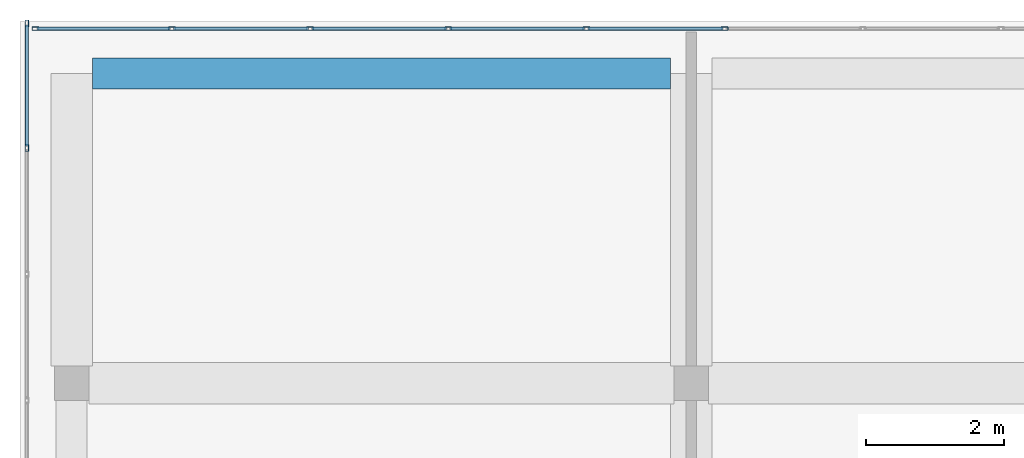
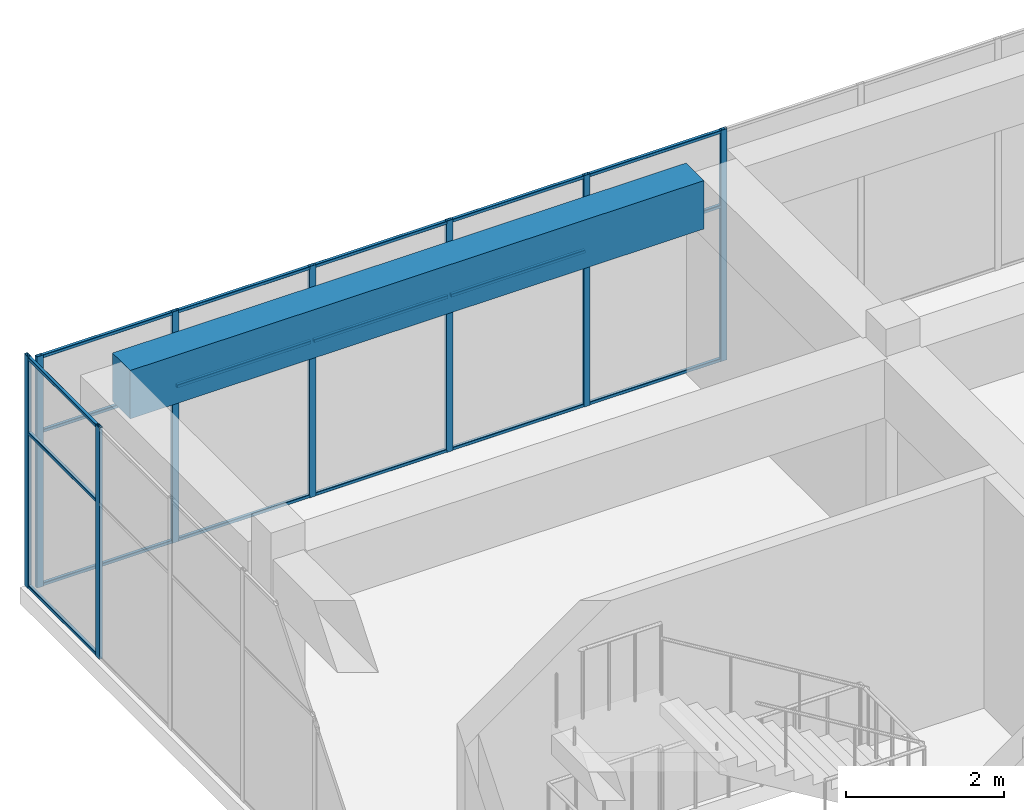
# One storey, part 23 of 36: 26 members, 1 beam, 2 elements without a shape of their own.
"""IFC4 building model written with IfcOpenShell, lengths in metres."""

from ifc_helpers import new_model, si_unit, direction, frame, origin, origin_2d, place, context, subcontext, project, spatial, rectangle, hollow_rectangle, extrude, material, layer, layer_set, material_profile, profile_set, type_object, element, aggregate, save


model = new_model("IFC4")

# Units and contexts
model_context = context("Model", 3, precision=1e-05, world=origin(), true_north=direction((0.0, 1.0)))
body_context = subcontext(model_context, "Body", "Model", "MODEL_VIEW")
ifc_project = project(units=[si_unit("LENGTHUNIT", "METRE"), si_unit("AREAUNIT", "SQUARE_METRE"), si_unit("VOLUMEUNIT", "CUBIC_METRE"), si_unit("PLANEANGLEUNIT", "RADIAN"), si_unit("MASSUNIT", "GRAM", prefix="KILO")], contexts=[model_context])

# Site, building, storey
site_placement = place(None, origin())
site = spatial("IfcSite", under=ifc_project, at=site_placement, CompositionType="ELEMENT")
building_placement = place(site_placement, origin())
building = spatial("IfcBuilding", under=site, at=building_placement, Name="Tuart Plaza Theatre", CompositionType="ELEMENT")
storey_placement = place(building_placement, frame((0.0, 0.0, 61.5)))
storey = spatial("IfcBuildingStorey", under=building, at=storey_placement, Name="L15", CompositionType="ELEMENT", Elevation=61.5)

# Beam
ifc_material_1 = material(Name="Concrete N40 (40 MPa)", Category="concrete")
ifc_material_profile_1 = material_profile(ifc_material_1, rectangle(XDim=0.449951171875, YDim=0.75, at=origin_2d()), Name="BEAM 450x750 Concrete N40 (40 MPa)")
ifc_profile_set_1 = profile_set([ifc_material_profile_1], Name="Concrete N40 (40 MPa)")
beam_type = type_object("IfcBeamType", Name="BEAM 450x750 Concrete N40 (40 MPa)", PredefinedType="BEAM", material=ifc_profile_set_1)
beam_placement = place(storey_placement, frame((114.300048828125, 96.5, 3.205078125), z_axis=(1.0, 0.0, 0.0), x_axis=(0.0, 1.0, 0.0)))
element("IfcBeam", 1, at=beam_placement, inside=storey, type_object=beam_type, Name="RB326", PredefinedType="BEAM", context=body_context, shape_type="SweptSolid", body=[
    extrude(rectangle(XDim=0.449951171875, YDim=0.75, at=origin_2d()), origin(), (0.0, 0.0, 1.0), 8.39990234375),
])

# Curtain wall, members
ifc_material_2 = material(Name="Aluminium and glass", Category="aluminium")
ifc_layer_1 = layer(ifc_material_2, 0.10009765625)
ifc_layer_set_1 = layer_set([ifc_layer_1], Name="CURTAIN WALL 2000 module")
curtain_wall_type_1 = type_object("IfcCurtainWallType", Name="CURTAIN WALL 2000 module", PredefinedType="NOTDEFINED", material=ifc_layer_set_1)
curtain_wall_1_placement = place(storey_placement, origin())
curtain_wall_1 = element("IfcCurtainWall", 2, at=curtain_wall_1_placement, inside=storey, type_object=curtain_wall_type_1, Name="CW117", PredefinedType="NOTDEFINED")
ifc_material_3 = material(Name="Aluminium 6063-T5", Category="aluminium")
ifc_material_profile_2 = material_profile(ifc_material_3, hollow_rectangle(XDim=0.050048828125, YDim=0.10009765625, WallThickness=0.00390625, InnerFilletRadius=0.00390625, OuterFilletRadius=0.008056640625, at=origin_2d()), Name="RHS 100x50x4")
ifc_profile_set_2 = profile_set([ifc_material_profile_2], Name="Aluminium 6063-T5")
member_type_1 = type_object("IfcMemberType", Name="MULLION RHS 100x50x4", PredefinedType="MULLION", material=ifc_profile_set_2)
member_1_placement = place(storey_placement, frame((123.485595703125, 97.14990234375, 0.0), z_axis=(0.0, 0.0, 1.0), x_axis=(0.0, -1.0, 0.0)))
member_1 = element("IfcMember", 3, at=member_1_placement, type_object=member_type_1, Name="CW117 mullion 10", PredefinedType="MULLION", context=body_context, shape_type="SweptSolid", body=[
    extrude(hollow_rectangle(XDim=0.050048828125, YDim=0.10009765625, WallThickness=0.00390625, InnerFilletRadius=0.00390625, OuterFilletRadius=0.008056640625, at=origin_2d()), origin(), (0.0, 0.0, 1.0), 3.580078125),
])
member_2_placement = place(storey_placement, frame((121.478515625, 97.14990234375, 0.0), z_axis=(0.0, 0.0, 1.0), x_axis=(0.0, -1.0, 0.0)))
member_2 = element("IfcMember", 4, at=member_2_placement, type_object=member_type_1, Name="CW117 mullion 11", PredefinedType="MULLION", context=body_context, shape_type="SweptSolid", body=[
    extrude(hollow_rectangle(XDim=0.050048828125, YDim=0.10009765625, WallThickness=0.00390625, InnerFilletRadius=0.00390625, OuterFilletRadius=0.008056640625, at=origin_2d()), origin(), (0.0, 0.0, 1.0), 3.580078125),
])
member_3_placement = place(storey_placement, frame((119.471435546875, 97.14990234375, 0.0), z_axis=(0.0, 0.0, 1.0), x_axis=(0.0, -1.0, 0.0)))
member_3 = element("IfcMember", 5, at=member_3_placement, type_object=member_type_1, Name="CW117 mullion 12", PredefinedType="MULLION", context=body_context, shape_type="SweptSolid", body=[
    extrude(hollow_rectangle(XDim=0.050048828125, YDim=0.10009765625, WallThickness=0.00390625, InnerFilletRadius=0.00390625, OuterFilletRadius=0.008056640625, at=origin_2d()), origin(), (0.0, 0.0, 1.0), 3.580078125),
])
member_4_placement = place(storey_placement, frame((117.46435546875, 97.14990234375, 0.0), z_axis=(0.0, 0.0, 1.0), x_axis=(0.0, -1.0, 0.0)))
member_4 = element("IfcMember", 6, at=member_4_placement, type_object=member_type_1, Name="CW117 mullion 13", PredefinedType="MULLION", context=body_context, shape_type="SweptSolid", body=[
    extrude(hollow_rectangle(XDim=0.050048828125, YDim=0.10009765625, WallThickness=0.00390625, InnerFilletRadius=0.00390625, OuterFilletRadius=0.008056640625, at=origin_2d()), origin(), (0.0, 0.0, 1.0), 3.580078125),
])
member_5_placement = place(storey_placement, frame((115.45703125, 97.14990234375, 0.0), z_axis=(0.0, 0.0, 1.0), x_axis=(0.0, -1.0, 0.0)))
member_5 = element("IfcMember", 7, at=member_5_placement, type_object=member_type_1, Name="CW117 mullion 14", PredefinedType="MULLION", context=body_context, shape_type="SweptSolid", body=[
    extrude(hollow_rectangle(XDim=0.050048828125, YDim=0.10009765625, WallThickness=0.00390625, InnerFilletRadius=0.00390625, OuterFilletRadius=0.008056640625, at=origin_2d()), origin(), (0.0, 0.0, 1.0), 3.580078125),
])
member_6_placement = place(storey_placement, frame((113.47509765625, 97.14990234375, 0.0), z_axis=(0.0, 0.0, 1.0), x_axis=(0.0, -1.0, 0.0)))
member_6 = element("IfcMember", 8, at=member_6_placement, type_object=member_type_1, Name="CW117 mullion 15", PredefinedType="MULLION", context=body_context, shape_type="SweptSolid", body=[
    extrude(hollow_rectangle(XDim=0.050048828125, YDim=0.10009765625, WallThickness=0.00390625, InnerFilletRadius=0.00390625, OuterFilletRadius=0.008056640625, at=origin_2d()), origin(), (0.0, 0.0, 1.0), 3.580078125),
])

ifc_material_4 = material(Name="Aluminium and glass", Category="aluminium")
ifc_layer_2 = layer(ifc_material_4, 0.10009765625)
ifc_layer_set_2 = layer_set([ifc_layer_2], Name="CURTAIN WALL 1800 module")
curtain_wall_type_2 = type_object("IfcCurtainWallType", Name="CURTAIN WALL 1800 module", PredefinedType="NOTDEFINED", material=ifc_layer_set_2)
curtain_wall_2_placement = place(storey_placement, origin())
curtain_wall_2 = element("IfcCurtainWall", 9, at=curtain_wall_2_placement, inside=storey, type_object=curtain_wall_type_2, Name="CW118", PredefinedType="NOTDEFINED")
member_7_placement = place(storey_placement, frame((113.35009765625, 97.22509765625, 0.0), z_axis=(0.0, 0.0, 1.0), x_axis=(1.0, 0.0, 0.0)))
member_7 = element("IfcMember", 10, at=member_7_placement, type_object=member_type_1, Name="CW118 mullion 1", PredefinedType="MULLION", context=body_context, shape_type="SweptSolid", body=[
    extrude(hollow_rectangle(XDim=0.050048828125, YDim=0.10009765625, WallThickness=0.00390625, InnerFilletRadius=0.00390625, OuterFilletRadius=0.008056640625, at=origin_2d()), origin(), (0.0, 0.0, 1.0), 3.580078125),
])
member_8_placement = place(storey_placement, frame((113.35009765625, 95.416748046875, 0.0), z_axis=(0.0, 0.0, 1.0), x_axis=(1.0, 0.0, 0.0)))
member_8 = element("IfcMember", 11, at=member_8_placement, type_object=member_type_1, Name="CW118 mullion 2", PredefinedType="MULLION", context=body_context, shape_type="SweptSolid", body=[
    extrude(hollow_rectangle(XDim=0.050048828125, YDim=0.10009765625, WallThickness=0.00390625, InnerFilletRadius=0.00390625, OuterFilletRadius=0.008056640625, at=origin_2d()), origin(), (0.0, 0.0, 1.0), 3.580078125),
])

# Member
ifc_material_5 = material(Name="Aluminium 6063-T5", Category="aluminium")
ifc_material_profile_3 = material_profile(ifc_material_5, hollow_rectangle(XDim=0.050048828125, YDim=0.050048828125, WallThickness=0.00390625, InnerFilletRadius=0.00390625, OuterFilletRadius=0.008056640625, at=origin_2d()), Name="RHS 50x50x4")
ifc_profile_set_3 = profile_set([ifc_material_profile_3], Name="Aluminium 6063-T5")
member_type_2 = type_object("IfcMemberType", Name="TRANSOM RHS 50x50x4", PredefinedType="USERDEFINED", material=ifc_profile_set_3)
member_9_placement = place(storey_placement, frame((123.460693359375, 97.14990234375, 0.02490234375), z_axis=(-1.0, 0.0, 0.0), x_axis=(0.0, -1.0, 0.0)))
member_9 = element("IfcMember", 12, at=member_9_placement, type_object=member_type_2, Name="CW117 transom 10.1", ObjectType="TRANSOM", PredefinedType="USERDEFINED", context=body_context, shape_type="SweptSolid", body=[
    extrude(hollow_rectangle(XDim=0.050048828125, YDim=0.050048828125, WallThickness=0.00390625, InnerFilletRadius=0.00390625, OuterFilletRadius=0.008056640625, at=origin_2d()), origin(), (0.0, 0.0, 1.0), 1.95703125),
])

member_10_placement = place(storey_placement, frame((123.460693359375, 97.14990234375, 2.39990234375), z_axis=(-1.0, 0.0, 0.0), x_axis=(0.0, -1.0, 0.0)))
member_10 = element("IfcMember", 13, at=member_10_placement, type_object=member_type_2, Name="CW117 transom 10.2", ObjectType="TRANSOM", PredefinedType="USERDEFINED", context=body_context, shape_type="SweptSolid", body=[
    extrude(hollow_rectangle(XDim=0.050048828125, YDim=0.050048828125, WallThickness=0.00390625, InnerFilletRadius=0.00390625, OuterFilletRadius=0.008056640625, at=origin_2d()), origin(), (0.0, 0.0, 1.0), 1.95703125),
])

member_11_placement = place(storey_placement, frame((123.460693359375, 97.14990234375, 3.554931640625), z_axis=(-1.0, 0.0, 0.0), x_axis=(0.0, -1.0, 0.0)))
member_11 = element("IfcMember", 14, at=member_11_placement, type_object=member_type_2, Name="CW117 transom 10.3", ObjectType="TRANSOM", PredefinedType="USERDEFINED", context=body_context, shape_type="SweptSolid", body=[
    extrude(hollow_rectangle(XDim=0.050048828125, YDim=0.050048828125, WallThickness=0.00390625, InnerFilletRadius=0.00390625, OuterFilletRadius=0.008056640625, at=origin_2d()), origin(), (0.0, 0.0, 1.0), 1.95703125),
])

member_12_placement = place(storey_placement, frame((121.45361328125, 97.14990234375, 0.02490234375), z_axis=(-1.0, 0.0, 0.0), x_axis=(0.0, -1.0, 0.0)))
member_12 = element("IfcMember", 15, at=member_12_placement, type_object=member_type_2, Name="CW117 transom 11.1", ObjectType="TRANSOM", PredefinedType="USERDEFINED", context=body_context, shape_type="SweptSolid", body=[
    extrude(hollow_rectangle(XDim=0.050048828125, YDim=0.050048828125, WallThickness=0.00390625, InnerFilletRadius=0.00390625, OuterFilletRadius=0.008056640625, at=origin_2d()), origin(), (0.0, 0.0, 1.0), 1.957275390625),
])

member_13_placement = place(storey_placement, frame((121.45361328125, 97.14990234375, 2.39990234375), z_axis=(-1.0, 0.0, 0.0), x_axis=(0.0, -1.0, 0.0)))
member_13 = element("IfcMember", 16, at=member_13_placement, type_object=member_type_2, Name="CW117 transom 11.2", ObjectType="TRANSOM", PredefinedType="USERDEFINED", context=body_context, shape_type="SweptSolid", body=[
    extrude(hollow_rectangle(XDim=0.050048828125, YDim=0.050048828125, WallThickness=0.00390625, InnerFilletRadius=0.00390625, OuterFilletRadius=0.008056640625, at=origin_2d()), origin(), (0.0, 0.0, 1.0), 1.957275390625),
])

member_14_placement = place(storey_placement, frame((121.45361328125, 97.14990234375, 3.554931640625), z_axis=(-1.0, 0.0, 0.0), x_axis=(0.0, -1.0, 0.0)))
member_14 = element("IfcMember", 17, at=member_14_placement, type_object=member_type_2, Name="CW117 transom 11.3", ObjectType="TRANSOM", PredefinedType="USERDEFINED", context=body_context, shape_type="SweptSolid", body=[
    extrude(hollow_rectangle(XDim=0.050048828125, YDim=0.050048828125, WallThickness=0.00390625, InnerFilletRadius=0.00390625, OuterFilletRadius=0.008056640625, at=origin_2d()), origin(), (0.0, 0.0, 1.0), 1.957275390625),
])

member_15_placement = place(storey_placement, frame((119.446533203125, 97.14990234375, 0.02490234375), z_axis=(-1.0, 0.0, 0.0), x_axis=(0.0, -1.0, 0.0)))
member_15 = element("IfcMember", 18, at=member_15_placement, type_object=member_type_2, Name="CW117 transom 12.1", ObjectType="TRANSOM", PredefinedType="USERDEFINED", context=body_context, shape_type="SweptSolid", body=[
    extrude(hollow_rectangle(XDim=0.050048828125, YDim=0.050048828125, WallThickness=0.00390625, InnerFilletRadius=0.00390625, OuterFilletRadius=0.008056640625, at=origin_2d()), origin(), (0.0, 0.0, 1.0), 1.957275390625),
])

member_16_placement = place(storey_placement, frame((119.446533203125, 97.14990234375, 2.39990234375), z_axis=(-1.0, 0.0, 0.0), x_axis=(0.0, -1.0, 0.0)))
member_16 = element("IfcMember", 19, at=member_16_placement, type_object=member_type_2, Name="CW117 transom 12.2", ObjectType="TRANSOM", PredefinedType="USERDEFINED", context=body_context, shape_type="SweptSolid", body=[
    extrude(hollow_rectangle(XDim=0.050048828125, YDim=0.050048828125, WallThickness=0.00390625, InnerFilletRadius=0.00390625, OuterFilletRadius=0.008056640625, at=origin_2d()), origin(), (0.0, 0.0, 1.0), 1.957275390625),
])

member_17_placement = place(storey_placement, frame((119.446533203125, 97.14990234375, 3.554931640625), z_axis=(-1.0, 0.0, 0.0), x_axis=(0.0, -1.0, 0.0)))
member_17 = element("IfcMember", 20, at=member_17_placement, type_object=member_type_2, Name="CW117 transom 12.3", ObjectType="TRANSOM", PredefinedType="USERDEFINED", context=body_context, shape_type="SweptSolid", body=[
    extrude(hollow_rectangle(XDim=0.050048828125, YDim=0.050048828125, WallThickness=0.00390625, InnerFilletRadius=0.00390625, OuterFilletRadius=0.008056640625, at=origin_2d()), origin(), (0.0, 0.0, 1.0), 1.957275390625),
])

member_18_placement = place(storey_placement, frame((117.439208984375, 97.14990234375, 0.02490234375), z_axis=(-1.0, 0.0, 0.0), x_axis=(0.0, -1.0, 0.0)))
member_18 = element("IfcMember", 21, at=member_18_placement, type_object=member_type_2, Name="CW117 transom 13.1", ObjectType="TRANSOM", PredefinedType="USERDEFINED", context=body_context, shape_type="SweptSolid", body=[
    extrude(hollow_rectangle(XDim=0.050048828125, YDim=0.050048828125, WallThickness=0.00390625, InnerFilletRadius=0.00390625, OuterFilletRadius=0.008056640625, at=origin_2d()), origin(), (0.0, 0.0, 1.0), 1.95703125),
])

member_19_placement = place(storey_placement, frame((117.439208984375, 97.14990234375, 2.39990234375), z_axis=(-1.0, 0.0, 0.0), x_axis=(0.0, -1.0, 0.0)))
member_19 = element("IfcMember", 22, at=member_19_placement, type_object=member_type_2, Name="CW117 transom 13.2", ObjectType="TRANSOM", PredefinedType="USERDEFINED", context=body_context, shape_type="SweptSolid", body=[
    extrude(hollow_rectangle(XDim=0.050048828125, YDim=0.050048828125, WallThickness=0.00390625, InnerFilletRadius=0.00390625, OuterFilletRadius=0.008056640625, at=origin_2d()), origin(), (0.0, 0.0, 1.0), 1.95703125),
])

member_20_placement = place(storey_placement, frame((117.439208984375, 97.14990234375, 3.554931640625), z_axis=(-1.0, 0.0, 0.0), x_axis=(0.0, -1.0, 0.0)))
member_20 = element("IfcMember", 23, at=member_20_placement, type_object=member_type_2, Name="CW117 transom 13.3", ObjectType="TRANSOM", PredefinedType="USERDEFINED", context=body_context, shape_type="SweptSolid", body=[
    extrude(hollow_rectangle(XDim=0.050048828125, YDim=0.050048828125, WallThickness=0.00390625, InnerFilletRadius=0.00390625, OuterFilletRadius=0.008056640625, at=origin_2d()), origin(), (0.0, 0.0, 1.0), 1.95703125),
])

member_21_placement = place(storey_placement, frame((115.43212890625, 97.14990234375, 0.02490234375), z_axis=(-1.0, 0.0, 0.0), x_axis=(0.0, -1.0, 0.0)))
member_21 = element("IfcMember", 24, at=member_21_placement, type_object=member_type_2, Name="CW117 transom 14.1", ObjectType="TRANSOM", PredefinedType="USERDEFINED", context=body_context, shape_type="SweptSolid", body=[
    extrude(hollow_rectangle(XDim=0.050048828125, YDim=0.050048828125, WallThickness=0.00390625, InnerFilletRadius=0.00390625, OuterFilletRadius=0.008056640625, at=origin_2d()), origin(), (0.0, 0.0, 1.0), 1.93212890625),
])

member_22_placement = place(storey_placement, frame((115.43212890625, 97.14990234375, 2.39990234375), z_axis=(-1.0, 0.0, 0.0), x_axis=(0.0, -1.0, 0.0)))
member_22 = element("IfcMember", 25, at=member_22_placement, type_object=member_type_2, Name="CW117 transom 14.2", ObjectType="TRANSOM", PredefinedType="USERDEFINED", context=body_context, shape_type="SweptSolid", body=[
    extrude(hollow_rectangle(XDim=0.050048828125, YDim=0.050048828125, WallThickness=0.00390625, InnerFilletRadius=0.00390625, OuterFilletRadius=0.008056640625, at=origin_2d()), origin(), (0.0, 0.0, 1.0), 1.93212890625),
])

member_23_placement = place(storey_placement, frame((115.43212890625, 97.14990234375, 3.554931640625), z_axis=(-1.0, 0.0, 0.0), x_axis=(0.0, -1.0, 0.0)))
member_23 = element("IfcMember", 26, at=member_23_placement, type_object=member_type_2, Name="CW117 transom 14.3", ObjectType="TRANSOM", PredefinedType="USERDEFINED", context=body_context, shape_type="SweptSolid", body=[
    extrude(hollow_rectangle(XDim=0.050048828125, YDim=0.050048828125, WallThickness=0.00390625, InnerFilletRadius=0.00390625, OuterFilletRadius=0.008056640625, at=origin_2d()), origin(), (0.0, 0.0, 1.0), 1.93212890625),
])

aggregate(curtain_wall_1, [member_1, member_2, member_3, member_4, member_5, member_6, member_9, member_10, member_11, member_12, member_13, member_14, member_15, member_16, member_17, member_18, member_19, member_20, member_21, member_22, member_23])

member_24_placement = place(storey_placement, frame((113.35009765625, 97.199951171875, 0.02490234375), z_axis=(0.0, -1.0, 0.0), x_axis=(1.0, 0.0, 0.0)))
member_24 = element("IfcMember", 27, at=member_24_placement, type_object=member_type_2, Name="CW118 transom 1.1", ObjectType="TRANSOM", PredefinedType="USERDEFINED", context=body_context, shape_type="SweptSolid", body=[
    extrude(hollow_rectangle(XDim=0.050048828125, YDim=0.050048828125, WallThickness=0.00390625, InnerFilletRadius=0.00390625, OuterFilletRadius=0.008056640625, at=origin_2d()), origin(), (0.0, 0.0, 1.0), 1.75830078125),
])

member_25_placement = place(storey_placement, frame((113.35009765625, 97.199951171875, 2.39990234375), z_axis=(0.0, -1.0, 0.0), x_axis=(1.0, 0.0, 0.0)))
member_25 = element("IfcMember", 28, at=member_25_placement, type_object=member_type_2, Name="CW118 transom 1.2", ObjectType="TRANSOM", PredefinedType="USERDEFINED", context=body_context, shape_type="SweptSolid", body=[
    extrude(hollow_rectangle(XDim=0.050048828125, YDim=0.050048828125, WallThickness=0.00390625, InnerFilletRadius=0.00390625, OuterFilletRadius=0.008056640625, at=origin_2d()), origin(), (0.0, 0.0, 1.0), 1.75830078125),
])

member_26_placement = place(storey_placement, frame((113.35009765625, 97.199951171875, 3.554931640625), z_axis=(0.0, -1.0, 0.0), x_axis=(1.0, 0.0, 0.0)))
member_26 = element("IfcMember", 29, at=member_26_placement, type_object=member_type_2, Name="CW118 transom 1.3", ObjectType="TRANSOM", PredefinedType="USERDEFINED", context=body_context, shape_type="SweptSolid", body=[
    extrude(hollow_rectangle(XDim=0.050048828125, YDim=0.050048828125, WallThickness=0.00390625, InnerFilletRadius=0.00390625, OuterFilletRadius=0.008056640625, at=origin_2d()), origin(), (0.0, 0.0, 1.0), 1.75830078125),
])

aggregate(curtain_wall_2, [member_7, member_8, member_24, member_25, member_26])

save(model, "model.ifc")
